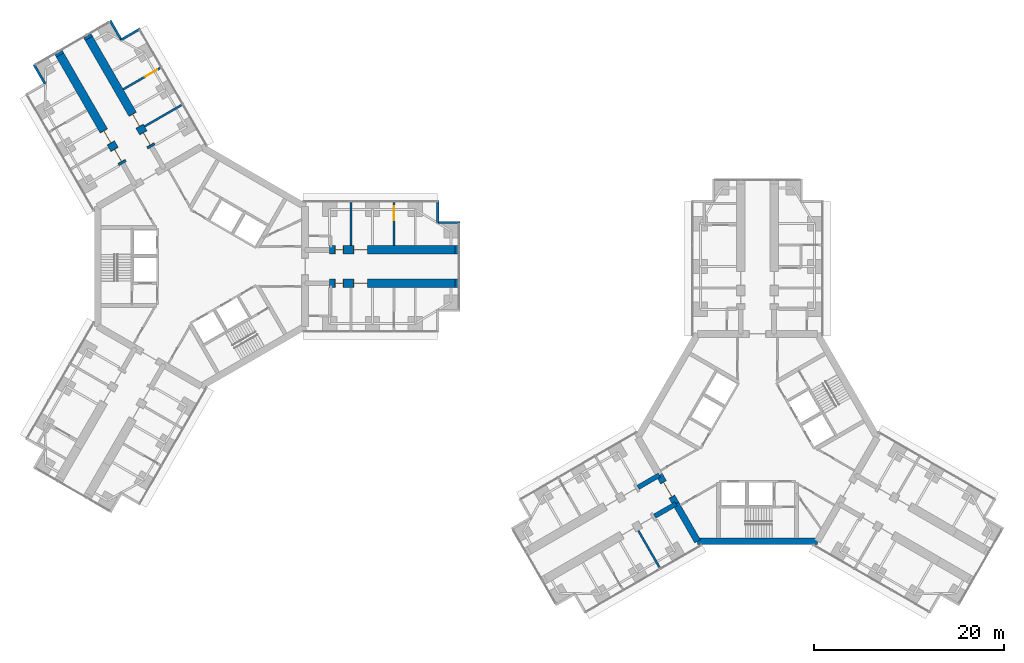
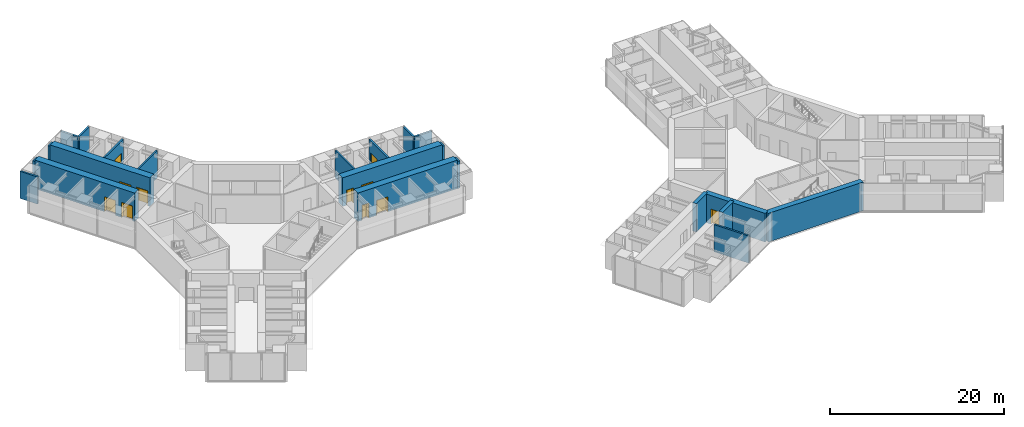
# One storey, part 18 of 22: 23 walls, 11 doors, 11 openings.
"""IFC4 building model written with IfcOpenShell, lengths in metres."""

from ifc_helpers import new_model, si_unit, direction, frame, frame_2d, origin, place, context, subcontext, project, spatial, rectangle, extrude, material, layer, layer_set, type_object, element, fill, save


model = new_model("IFC4")

# Units and contexts
model_context = context("Model", 3, precision=1e-05, world=origin(), true_north=direction((0.0, 1.0)))
body_context = subcontext(model_context, "Body", "Model", "MODEL_VIEW")
ifc_project = project(units=[si_unit("LENGTHUNIT", "METRE"), si_unit("AREAUNIT", "SQUARE_METRE"), si_unit("VOLUMEUNIT", "CUBIC_METRE"), si_unit("PLANEANGLEUNIT", "RADIAN"), si_unit("MASSUNIT", "GRAM", prefix="KILO")], contexts=[model_context])

# Site, building, storey
site_placement = place(None, origin())
site = spatial("IfcSite", under=ifc_project, at=site_placement, CompositionType="ELEMENT")
building_placement = place(site_placement, origin())
building = spatial("IfcBuilding", under=site, at=building_placement, Name="Upepo Twin Towers", CompositionType="ELEMENT")
storey_placement = place(building_placement, frame((0.0, 0.0, 44.5)))
storey = spatial("IfcBuildingStorey", under=building, at=storey_placement, Name="L10", CompositionType="ELEMENT", Elevation=44.5)

# Wall
ifc_material_1 = material(Name="Concrete blockwork, plastered both faces", Category="masonry")
ifc_layer_1 = layer(ifc_material_1, 0.215087890625)
ifc_layer_set_1 = layer_set([ifc_layer_1], Name="Blockwork partition 215")
wall_type_1 = type_object("IfcWallType", Name="Blockwork partition 215", PredefinedType="PARTITIONING", material=ifc_layer_set_1)
wall_1_placement = place(storey_placement, frame((15.75, 2.199951171875, 0.0), z_axis=(0.0, 0.0, 1.0), x_axis=(0.0, 1.0, 0.0)))
element("IfcWall", 1, at=wall_1_placement, inside=storey, type_object=wall_type_1, Name="T1 partition AL at 15.75", PredefinedType="PARTITIONING", context=body_context, shape_type="SweptSolid", body=[
    extrude(rectangle(XDim=4.550048828125, YDim=0.215087890625, at=frame_2d((2.27490234375, 0.0))), origin(), (0.0, 0.0, 1.0), 3.800048828125),
])

# Wall, opening, door
wall_2_placement = place(storey_placement, frame((20.25, 2.199951171875, 0.0), z_axis=(0.0, 0.0, 1.0), x_axis=(0.0, 1.0, 0.0)))
wall_2 = element("IfcWall", 2, at=wall_2_placement, inside=storey, type_object=wall_type_1, Name="T1 partition AL at 20.25", PredefinedType="PARTITIONING", context=body_context, shape_type="SweptSolid", body=[
    extrude(rectangle(XDim=4.550048828125, YDim=0.215087890625, at=frame_2d((2.27490234375, 0.0))), origin(), (0.0, 0.0, 1.0), 3.800048828125),
])
opening_1_placement = place(wall_2_placement, frame((2.64990234375, 0.0, 0.0)))
opening_1 = element("IfcOpeningElement", 3, at=opening_1_placement, cuts=wall_2, Name="Opening D13", PredefinedType="OPENING", context=body_context, shape_type="SweptSolid", body=[
    extrude(rectangle(XDim=1.5, YDim=2.10009765625, at=frame_2d((0.75, 1.050048828125))), frame((0.0, 0.117431640625, 0.0), z_axis=(0.0, -1.0, 0.0), x_axis=(1.0, 0.0, 0.0)), (0.0, 0.0, 1.0), 0.235107421875),
])
ifc_material_2 = material(Name="Timber doorset", Category="wood")
door_type_1 = type_object("IfcDoorType", Name="Double door 1500 FD30", OperationType="DOUBLE_DOOR_SINGLE_SWING", PredefinedType="DOOR", material=ifc_material_2)
door_1_placement = place(opening_1_placement, origin())
door_1 = element("IfcDoor", 4, at=door_1_placement, inside=storey, type_object=door_type_1, Name="T1 L10 connecting door", OperationType="DOUBLE_DOOR_SINGLE_SWING", OverallHeight=2.10009765625, OverallWidth=1.5, PredefinedType="DOOR", context=body_context, shape_type="SweptSolid", body=[
    extrude(rectangle(XDim=1.5, YDim=2.10009765625, at=frame_2d((0.75, 1.050048828125))), frame((0.0, 0.02490234375, 0.0), z_axis=(0.0, -1.0, 0.0), x_axis=(1.0, 0.0, 0.0)), (0.0, 0.0, 1.0), 0.050048828125),
])
fill(opening_1, door_1)

# Wall
wall_3_placement = place(storey_placement, frame((-5.9697265625, 14.739990234375, 0.0), z_axis=(0.0, 0.0, 1.0), x_axis=(0.866035472144, 0.499982560684, 0.0)))
element("IfcWall", 5, at=wall_3_placement, inside=storey, type_object=wall_type_1, Name="T1 partition BR at 15.75", PredefinedType="PARTITIONING", context=body_context, shape_type="SweptSolid", body=[
    extrude(rectangle(XDim=4.550048828125, YDim=0.215087890625, at=frame_2d((2.27490234375, 0.0))), origin(), (0.0, 0.0, 1.0), 3.800048828125),
])

# Wall, opening, door
wall_4_placement = place(storey_placement, frame((-8.2197265625, 18.636962890625, 0.0), z_axis=(0.0, 0.0, 1.0), x_axis=(0.866012237902, 0.500022803284, 0.0)))
wall_4 = element("IfcWall", 6, at=wall_4_placement, inside=storey, type_object=wall_type_1, Name="T1 partition BR at 20.25", PredefinedType="PARTITIONING", context=body_context, shape_type="SweptSolid", body=[
    extrude(rectangle(XDim=4.550048828125, YDim=0.215087890625, at=frame_2d((2.27490234375, 0.0))), origin(), (0.0, 0.0, 1.0), 3.800048828125),
])
opening_2_placement = place(wall_4_placement, frame((2.64990234375, 0.0, 0.0)))
opening_2 = element("IfcOpeningElement", 7, at=opening_2_placement, cuts=wall_4, Name="Opening D13", PredefinedType="OPENING", context=body_context, shape_type="SweptSolid", body=[
    extrude(rectangle(XDim=1.5, YDim=2.10009765625, at=frame_2d((0.75, 1.050048828125))), frame((0.0, 0.117431640625, 0.0), z_axis=(0.0, -1.0, 0.0), x_axis=(1.0, 0.0, 0.0)), (0.0, 0.0, 1.0), 0.235107421875),
])
door_2_placement = place(opening_2_placement, origin())
door_2 = element("IfcDoor", 8, at=door_2_placement, inside=storey, type_object=door_type_1, Name="T1 L10 connecting door", OperationType="DOUBLE_DOOR_SINGLE_SWING", OverallHeight=2.10009765625, OverallWidth=1.5, PredefinedType="DOOR", context=body_context, shape_type="SweptSolid", body=[
    extrude(rectangle(XDim=1.5, YDim=2.10009765625, at=frame_2d((0.75, 1.050048828125))), frame((0.0, 0.02490234375, 0.0), z_axis=(0.0, -1.0, 0.0), x_axis=(1.0, 0.0, 0.0)), (0.0, 0.0, 1.0), 0.050048828125),
])
fill(opening_2, door_2)

# Walls
wall_5_placement = place(storey_placement, frame((45.960205078125, -27.7802734375, 0.0), z_axis=(0.0, 0.0, 1.0), x_axis=(0.499982560684, -0.866035472144, 0.0)))
element("IfcWall", 9, at=wall_5_placement, inside=storey, type_object=wall_type_1, Name="T2 partition BL at 15.75", PredefinedType="PARTITIONING", context=body_context, shape_type="SweptSolid", body=[
    extrude(rectangle(XDim=4.550048828125, YDim=0.215087890625, at=frame_2d((2.27490234375, 0.0))), origin(), (0.0, 0.0, 1.0), 3.800048828125),
])
ifc_material_3 = material(Name="Dense concrete blockwork", Category="masonry")
ifc_layer_2 = layer(ifc_material_3, 0.89990234375)
ifc_layer_set_2 = layer_set([ifc_layer_2], Name="Buttress closer 900, blockwork with fire-stopping to the curtain wall")
wall_type_2 = type_object("IfcWallType", Name="Buttress closer 900, blockwork with fire-stopping to the curtain wall", PredefinedType="PARTITIONING", material=ifc_layer_set_2)
for number, where, z_axis, x_axis, name in (
    (10, (26.699951171875, 1.75, 0.0), (0.0, 0.0, 1.0), (1.0, 0.0, 0.0), "T1 L10 wing A buttress closer L"),
    (11, (26.699951171875, -1.75, 0.0), (0.0, 0.0, 1.0), (1.0, 0.0, 0.0), "T1 L10 wing A buttress closer R"),
    (12, (-14.865478515625, 22.247802734375, 0.0), (0.0, 0.0, 1.0), (-0.499949632511, 0.866054481515, 0.0), "T1 L10 wing B buttress closer L"),
    (13, (-11.83447265625, 23.997802734375, 0.0), (0.0, 0.0, 1.0), (-0.499949632511, 0.866054481515, 0.0), "T1 L10 wing B buttress closer R"),
):
    element("IfcWall", number, at=place(storey_placement, frame(where, z_axis=z_axis, x_axis=x_axis)), inside=storey, type_object=wall_type_2, Name=name, PredefinedType="PARTITIONING", context=body_context, shape_type="SweptSolid", body=[
        extrude(rectangle(XDim=0.31005859375, YDim=0.89990234375, at=frame_2d((0.155029296875, 0.0))), origin(), (0.0, 0.0, 1.0), 3.800048828125),
    ])
ifc_material_4 = material(Name="Concrete C60/75", Category="concrete")
ifc_layer_3 = layer(ifc_material_4, 0.5)
ifc_layer_set_3 = layer_set([ifc_layer_3], Name="Concrete C60/75")
wall_type_3 = type_object("IfcWallType", Name="Buttress wall 500 RC", PredefinedType="SHEAR", material=ifc_layer_set_3)
for number, where, z_axis, x_axis, name in (
    (14, (49.92822265625, -24.9697265625, 0.0), (0.0, 0.0, 1.0), (-0.866031863473, -0.499988811324, 0.0), "T2 wing B buttress wall L"),
    (15, (48.17822265625, -21.938720703125, 0.0), (0.0, 0.0, 1.0), (-0.866072649678, -0.499918158782, 0.0), "T2 wing B buttress wall R"),
):
    element("IfcWall", number, at=place(storey_placement, frame(where, z_axis=z_axis, x_axis=x_axis)), inside=storey, type_object=wall_type_3, Name=name, PredefinedType="SHEAR", context=body_context, shape_type="SweptSolid", body=[
        extrude(rectangle(XDim=2.591796875, YDim=0.5, at=frame_2d((1.2958984375, 0.0))), origin(), (0.0, 0.0, 1.0), 4.0),
    ])

# Wall, openings, doors
ifc_material_5 = material(Name="Concrete C60/75", Category="concrete")
ifc_layer_4 = layer(ifc_material_5, 0.89990234375)
ifc_layer_set_4 = layer_set([ifc_layer_4], Name="Concrete C60/75")
wall_type_4 = type_object("IfcWallType", Name="Buttress wall 900 RC", PredefinedType="SHEAR", material=ifc_layer_set_4)
wall_6_placement = place(storey_placement, frame((13.5, 1.75, 0.0), z_axis=(0.0, 0.0, 1.0), x_axis=(1.0, 0.0, 0.0)))
wall_6 = element("IfcWall", 16, at=wall_6_placement, inside=storey, type_object=wall_type_4, Name="T1 wing A buttress wall L part 2", PredefinedType="SHEAR", context=body_context, shape_type="SweptSolid", body=[
    extrude(rectangle(XDim=13.199951171875, YDim=0.89990234375, at=frame_2d((6.60009765625, 0.0))), origin(), (0.0, 0.0, 1.0), 4.0),
])
opening_3_placement = place(wall_6_placement, frame((0.550048828125, 0.0, 0.0)))
opening_3 = element("IfcOpeningElement", 17, at=opening_3_placement, cuts=wall_6, Name="Opening D11", PredefinedType="OPENING", context=body_context, shape_type="SweptSolid", body=[
    extrude(rectangle(XDim=0.89990234375, YDim=2.10009765625, at=frame_2d((0.449951171875, 1.050048828125))), frame((0.0, 0.4599609375, 0.0), z_axis=(0.0, -1.0, 0.0), x_axis=(1.0, 0.0, 0.0)), (0.0, 0.0, 1.0), 0.919921875),
])
opening_4_placement = place(wall_6_placement, frame((2.5, 0.0, 0.0)))
opening_4 = element("IfcOpeningElement", 18, at=opening_4_placement, cuts=wall_6, Name="Opening D13", PredefinedType="OPENING", context=body_context, shape_type="SweptSolid", body=[
    extrude(rectangle(XDim=1.5, YDim=2.10009765625, at=frame_2d((0.75, 1.050048828125))), frame((0.0, 0.4599609375, 0.0), z_axis=(0.0, -1.0, 0.0), x_axis=(1.0, 0.0, 0.0)), (0.0, 0.0, 1.0), 0.919921875),
])
door_3_placement = place(opening_4_placement, origin())
door_3 = element("IfcDoor", 19, at=door_3_placement, inside=storey, type_object=door_type_1, Name="T1 L10 instrument room door", OperationType="DOUBLE_DOOR_SINGLE_SWING", OverallHeight=2.10009765625, OverallWidth=1.5, PredefinedType="DOOR", context=body_context, shape_type="SweptSolid", body=[
    extrude(rectangle(XDim=1.42, YDim=2.06009765625, at=frame_2d((0.75, 1.030029296875))), frame((0.0, 0.02490234375, 0.0), z_axis=(0.0, -1.0, 0.0), x_axis=(1.0, 0.0, 0.0)), (0.0, 0.0, 1.0), 0.050048828125),
    extrude(rectangle(XDim=0.04, YDim=2.10009765625, at=frame_2d((0.02001953125, 1.050048828125))), frame((0.0, 0.44970703125, 0.0), z_axis=(0.0, -1.0, 0.0), x_axis=(1.0, 0.0, 0.0)), (0.0, 0.0, 1.0), 0.8994140625),
    extrude(rectangle(XDim=0.04, YDim=2.10009765625, at=frame_2d((1.47998046875, 1.050048828125))), frame((0.0, 0.44970703125, 0.0), z_axis=(0.0, -1.0, 0.0), x_axis=(1.0, 0.0, 0.0)), (0.0, 0.0, 1.0), 0.8994140625),
    extrude(rectangle(XDim=1.42, YDim=0.04, at=frame_2d((0.75, 2.080078125))), frame((0.0, 0.44970703125, 0.0), z_axis=(0.0, -1.0, 0.0), x_axis=(1.0, 0.0, 0.0)), (0.0, 0.0, 1.0), 0.8994140625),
])
fill(opening_4, door_3)
ifc_material_6 = material(Name="Timber doorset", Category="wood")
door_type_2 = type_object("IfcDoorType", Name="Toilet door 900", OperationType="SINGLE_SWING_LEFT", PredefinedType="DOOR", material=ifc_material_6)
door_4_placement = place(opening_3_placement, origin())
door_4 = element("IfcDoor", 20, at=door_4_placement, inside=storey, type_object=door_type_2, Name="T1 L10 toilets door", OperationType="SINGLE_SWING_LEFT", OverallHeight=2.10009765625, OverallWidth=0.89990234375, PredefinedType="DOOR", context=body_context, shape_type="SweptSolid", body=[
    extrude(rectangle(XDim=0.81990234375, YDim=2.06009765625, at=frame_2d((0.449951171875, 1.030029296875))), frame((0.0, 0.02490234375, 0.0), z_axis=(0.0, -1.0, 0.0), x_axis=(1.0, 0.0, 0.0)), (0.0, 0.0, 1.0), 0.050048828125),
    extrude(rectangle(XDim=0.04, YDim=2.10009765625, at=frame_2d((0.02001953125, 1.050048828125))), frame((0.0, 0.44970703125, 0.0), z_axis=(0.0, -1.0, 0.0), x_axis=(1.0, 0.0, 0.0)), (0.0, 0.0, 1.0), 0.8994140625),
    extrude(rectangle(XDim=0.04, YDim=2.10009765625, at=frame_2d((0.8798828125, 1.050048828125))), frame((0.0, 0.44970703125, 0.0), z_axis=(0.0, -1.0, 0.0), x_axis=(1.0, 0.0, 0.0)), (0.0, 0.0, 1.0), 0.8994140625),
    extrude(rectangle(XDim=0.81990234375, YDim=0.04, at=frame_2d((0.449951171875, 2.080078125))), frame((0.0, 0.44970703125, 0.0), z_axis=(0.0, -1.0, 0.0), x_axis=(1.0, 0.0, 0.0)), (0.0, 0.0, 1.0), 0.8994140625),
])
fill(opening_3, door_4)

wall_7_placement = place(storey_placement, frame((13.5, -1.75, 0.0), z_axis=(0.0, 0.0, 1.0), x_axis=(1.0, 0.0, 0.0)))
wall_7 = element("IfcWall", 21, at=wall_7_placement, inside=storey, type_object=wall_type_4, Name="T1 wing A buttress wall R part 2", PredefinedType="SHEAR", context=body_context, shape_type="SweptSolid", body=[
    extrude(rectangle(XDim=13.199951171875, YDim=0.89990234375, at=frame_2d((6.60009765625, 0.0))), origin(), (0.0, 0.0, 1.0), 4.0),
])
opening_5_placement = place(wall_7_placement, frame((0.550048828125, 0.0, 0.0)))
opening_5 = element("IfcOpeningElement", 22, at=opening_5_placement, cuts=wall_7, Name="Opening D11", PredefinedType="OPENING", context=body_context, shape_type="SweptSolid", body=[
    extrude(rectangle(XDim=0.89990234375, YDim=2.10009765625, at=frame_2d((0.449951171875, 1.050048828125))), frame((0.0, 0.4599609375, 0.0), z_axis=(0.0, -1.0, 0.0), x_axis=(1.0, 0.0, 0.0)), (0.0, 0.0, 1.0), 0.919921875),
])
opening_6_placement = place(wall_7_placement, frame((2.5, 0.0, 0.0)))
opening_6 = element("IfcOpeningElement", 23, at=opening_6_placement, cuts=wall_7, Name="Opening D13", PredefinedType="OPENING", context=body_context, shape_type="SweptSolid", body=[
    extrude(rectangle(XDim=1.5, YDim=2.10009765625, at=frame_2d((0.75, 1.050048828125))), frame((0.0, 0.4599609375, 0.0), z_axis=(0.0, -1.0, 0.0), x_axis=(1.0, 0.0, 0.0)), (0.0, 0.0, 1.0), 0.919921875),
])
door_5_placement = place(opening_6_placement, origin())
door_5 = element("IfcDoor", 24, at=door_5_placement, inside=storey, type_object=door_type_1, Name="T1 L10 laboratory prep room door", OperationType="DOUBLE_DOOR_SINGLE_SWING", OverallHeight=2.10009765625, OverallWidth=1.5, PredefinedType="DOOR", context=body_context, shape_type="SweptSolid", body=[
    extrude(rectangle(XDim=1.42, YDim=2.06009765625, at=frame_2d((0.75, 1.030029296875))), frame((0.0, 0.02490234375, 0.0), z_axis=(0.0, -1.0, 0.0), x_axis=(1.0, 0.0, 0.0)), (0.0, 0.0, 1.0), 0.050048828125),
    extrude(rectangle(XDim=0.04, YDim=2.10009765625, at=frame_2d((0.02001953125, 1.050048828125))), frame((0.0, 0.44970703125, 0.0), z_axis=(0.0, -1.0, 0.0), x_axis=(1.0, 0.0, 0.0)), (0.0, 0.0, 1.0), 0.8994140625),
    extrude(rectangle(XDim=0.04, YDim=2.10009765625, at=frame_2d((1.47998046875, 1.050048828125))), frame((0.0, 0.44970703125, 0.0), z_axis=(0.0, -1.0, 0.0), x_axis=(1.0, 0.0, 0.0)), (0.0, 0.0, 1.0), 0.8994140625),
    extrude(rectangle(XDim=1.42, YDim=0.04, at=frame_2d((0.75, 2.080078125))), frame((0.0, 0.44970703125, 0.0), z_axis=(0.0, -1.0, 0.0), x_axis=(1.0, 0.0, 0.0)), (0.0, 0.0, 1.0), 0.8994140625),
])
fill(opening_6, door_5)
door_6_placement = place(opening_5_placement, origin())
door_6 = element("IfcDoor", 25, at=door_6_placement, inside=storey, type_object=door_type_2, Name="T1 L10 accessible wc door", OperationType="SINGLE_SWING_LEFT", OverallHeight=2.10009765625, OverallWidth=0.89990234375, PredefinedType="DOOR", context=body_context, shape_type="SweptSolid", body=[
    extrude(rectangle(XDim=0.81990234375, YDim=2.06009765625, at=frame_2d((0.449951171875, 1.030029296875))), frame((0.0, 0.02490234375, 0.0), z_axis=(0.0, -1.0, 0.0), x_axis=(1.0, 0.0, 0.0)), (0.0, 0.0, 1.0), 0.050048828125),
    extrude(rectangle(XDim=0.04, YDim=2.10009765625, at=frame_2d((0.02001953125, 1.050048828125))), frame((0.0, 0.44970703125, 0.0), z_axis=(0.0, -1.0, 0.0), x_axis=(1.0, 0.0, 0.0)), (0.0, 0.0, 1.0), 0.8994140625),
    extrude(rectangle(XDim=0.04, YDim=2.10009765625, at=frame_2d((0.8798828125, 1.050048828125))), frame((0.0, 0.44970703125, 0.0), z_axis=(0.0, -1.0, 0.0), x_axis=(1.0, 0.0, 0.0)), (0.0, 0.0, 1.0), 0.8994140625),
    extrude(rectangle(XDim=0.81990234375, YDim=0.04, at=frame_2d((0.449951171875, 2.080078125))), frame((0.0, 0.44970703125, 0.0), z_axis=(0.0, -1.0, 0.0), x_axis=(1.0, 0.0, 0.0)), (0.0, 0.0, 1.0), 0.8994140625),
])
fill(opening_5, door_6)

wall_8_placement = place(storey_placement, frame((-8.265625, 10.81640625, 0.0), z_axis=(0.0, 0.0, 1.0), x_axis=(-0.499996231654, 0.866027579429, 0.0)))
wall_8 = element("IfcWall", 26, at=wall_8_placement, inside=storey, type_object=wall_type_4, Name="T1 wing B buttress wall L part 2", PredefinedType="SHEAR", context=body_context, shape_type="SweptSolid", body=[
    extrude(rectangle(XDim=13.19970703125, YDim=0.89990234375, at=frame_2d((6.599853515625, 0.0))), origin(), (0.0, 0.0, 1.0), 4.0),
])
opening_7_placement = place(wall_8_placement, frame((0.25, 0.0, 0.0)))
opening_7 = element("IfcOpeningElement", 27, at=opening_7_placement, cuts=wall_8, Name="Opening D13", PredefinedType="OPENING", context=body_context, shape_type="SweptSolid", body=[
    extrude(rectangle(XDim=1.5, YDim=2.10009765625, at=frame_2d((0.75, 1.050048828125))), frame((0.0, 0.4599609375, 0.0), z_axis=(0.0, -1.0, 0.0), x_axis=(1.0, 0.0, 0.0)), (0.0, 0.0, 1.0), 0.919921875),
])
opening_8_placement = place(wall_8_placement, frame((2.5, 0.0, 0.0)))
opening_8 = element("IfcOpeningElement", 28, at=opening_8_placement, cuts=wall_8, Name="Opening D13", PredefinedType="OPENING", context=body_context, shape_type="SweptSolid", body=[
    extrude(rectangle(XDim=1.5, YDim=2.10009765625, at=frame_2d((0.75, 1.050048828125))), frame((0.0, 0.4599609375, 0.0), z_axis=(0.0, -1.0, 0.0), x_axis=(1.0, 0.0, 0.0)), (0.0, 0.0, 1.0), 0.919921875),
])
door_7_placement = place(opening_7_placement, origin())
door_7 = element("IfcDoor", 29, at=door_7_placement, inside=storey, type_object=door_type_1, Name="T1 L10 instrument room door", OperationType="DOUBLE_DOOR_SINGLE_SWING", OverallHeight=2.10009765625, OverallWidth=1.5, PredefinedType="DOOR", context=body_context, shape_type="SweptSolid", body=[
    extrude(rectangle(XDim=1.42, YDim=2.06009765625, at=frame_2d((0.75, 1.030029296875))), frame((0.0, 0.02490234375, 0.0), z_axis=(0.0, -1.0, 0.0), x_axis=(1.0, 0.0, 0.0)), (0.0, 0.0, 1.0), 0.050048828125),
    extrude(rectangle(XDim=0.04, YDim=2.10009765625, at=frame_2d((0.02001953125, 1.050048828125))), frame((0.0, 0.44970703125, 0.0), z_axis=(0.0, -1.0, 0.0), x_axis=(1.0, 0.0, 0.0)), (0.0, 0.0, 1.0), 0.8994140625),
    extrude(rectangle(XDim=0.04, YDim=2.10009765625, at=frame_2d((1.47998046875, 1.050048828125))), frame((0.0, 0.44970703125, 0.0), z_axis=(0.0, -1.0, 0.0), x_axis=(1.0, 0.0, 0.0)), (0.0, 0.0, 1.0), 0.8994140625),
    extrude(rectangle(XDim=1.42, YDim=0.04, at=frame_2d((0.75, 2.080078125))), frame((0.0, 0.44970703125, 0.0), z_axis=(0.0, -1.0, 0.0), x_axis=(1.0, 0.0, 0.0)), (0.0, 0.0, 1.0), 0.8994140625),
])
fill(opening_7, door_7)
door_8_placement = place(opening_8_placement, origin())
door_8 = element("IfcDoor", 30, at=door_8_placement, inside=storey, type_object=door_type_1, Name="T1 L10 write-up room door", OperationType="DOUBLE_DOOR_SINGLE_SWING", OverallHeight=2.10009765625, OverallWidth=1.5, PredefinedType="DOOR", context=body_context, shape_type="SweptSolid", body=[
    extrude(rectangle(XDim=1.42, YDim=2.06009765625, at=frame_2d((0.75, 1.030029296875))), frame((0.0, 0.02490234375, 0.0), z_axis=(0.0, -1.0, 0.0), x_axis=(1.0, 0.0, 0.0)), (0.0, 0.0, 1.0), 0.050048828125),
    extrude(rectangle(XDim=0.04, YDim=2.10009765625, at=frame_2d((0.02001953125, 1.050048828125))), frame((0.0, 0.44970703125, 0.0), z_axis=(0.0, -1.0, 0.0), x_axis=(1.0, 0.0, 0.0)), (0.0, 0.0, 1.0), 0.8994140625),
    extrude(rectangle(XDim=0.04, YDim=2.10009765625, at=frame_2d((1.47998046875, 1.050048828125))), frame((0.0, 0.44970703125, 0.0), z_axis=(0.0, -1.0, 0.0), x_axis=(1.0, 0.0, 0.0)), (0.0, 0.0, 1.0), 0.8994140625),
    extrude(rectangle(XDim=1.42, YDim=0.04, at=frame_2d((0.75, 2.080078125))), frame((0.0, 0.44970703125, 0.0), z_axis=(0.0, -1.0, 0.0), x_axis=(1.0, 0.0, 0.0)), (0.0, 0.0, 1.0), 0.8994140625),
])
fill(opening_8, door_8)

wall_9_placement = place(storey_placement, frame((-5.234375, 12.56640625, 0.0), z_axis=(0.0, 0.0, 1.0), x_axis=(-0.500010103361, 0.866019570528, 0.0)))
wall_9 = element("IfcWall", 31, at=wall_9_placement, inside=storey, type_object=wall_type_4, Name="T1 wing B buttress wall R part 2", PredefinedType="SHEAR", context=body_context, shape_type="SweptSolid", body=[
    extrude(rectangle(XDim=13.199951171875, YDim=0.89990234375, at=frame_2d((6.60009765625, 0.0))), origin(), (0.0, 0.0, 1.0), 4.0),
])
opening_9_placement = place(wall_9_placement, frame((0.25, 0.0, 0.0)))
opening_9 = element("IfcOpeningElement", 32, at=opening_9_placement, cuts=wall_9, Name="Opening D13", PredefinedType="OPENING", context=body_context, shape_type="SweptSolid", body=[
    extrude(rectangle(XDim=1.5, YDim=2.10009765625, at=frame_2d((0.75, 1.050048828125))), frame((0.0, 0.4599609375, 0.0), z_axis=(0.0, -1.0, 0.0), x_axis=(1.0, 0.0, 0.0)), (0.0, 0.0, 1.0), 0.919921875),
])
opening_10_placement = place(wall_9_placement, frame((2.5, 0.0, 0.0)))
opening_10 = element("IfcOpeningElement", 33, at=opening_10_placement, cuts=wall_9, Name="Opening D13", PredefinedType="OPENING", context=body_context, shape_type="SweptSolid", body=[
    extrude(rectangle(XDim=1.5, YDim=2.10009765625, at=frame_2d((0.75, 1.050048828125))), frame((0.0, 0.4599609375, 0.0), z_axis=(0.0, -1.0, 0.0), x_axis=(1.0, 0.0, 0.0)), (0.0, 0.0, 1.0), 0.919921875),
])
door_9_placement = place(opening_9_placement, origin())
door_9 = element("IfcDoor", 34, at=door_9_placement, inside=storey, type_object=door_type_1, Name="T1 L10 research laboratory door", OperationType="DOUBLE_DOOR_SINGLE_SWING", OverallHeight=2.10009765625, OverallWidth=1.5, PredefinedType="DOOR", context=body_context, shape_type="SweptSolid", body=[
    extrude(rectangle(XDim=1.42, YDim=2.06009765625, at=frame_2d((0.75, 1.030029296875))), frame((0.0, 0.02490234375, 0.0), z_axis=(0.0, -1.0, 0.0), x_axis=(1.0, 0.0, 0.0)), (0.0, 0.0, 1.0), 0.050048828125),
    extrude(rectangle(XDim=0.04, YDim=2.10009765625, at=frame_2d((0.02001953125, 1.050048828125))), frame((0.0, 0.44970703125, 0.0), z_axis=(0.0, -1.0, 0.0), x_axis=(1.0, 0.0, 0.0)), (0.0, 0.0, 1.0), 0.8994140625),
    extrude(rectangle(XDim=0.04, YDim=2.10009765625, at=frame_2d((1.47998046875, 1.050048828125))), frame((0.0, 0.44970703125, 0.0), z_axis=(0.0, -1.0, 0.0), x_axis=(1.0, 0.0, 0.0)), (0.0, 0.0, 1.0), 0.8994140625),
    extrude(rectangle(XDim=1.42, YDim=0.04, at=frame_2d((0.75, 2.080078125))), frame((0.0, 0.44970703125, 0.0), z_axis=(0.0, -1.0, 0.0), x_axis=(1.0, 0.0, 0.0)), (0.0, 0.0, 1.0), 0.8994140625),
])
fill(opening_9, door_9)
door_10_placement = place(opening_10_placement, origin())
door_10 = element("IfcDoor", 35, at=door_10_placement, inside=storey, type_object=door_type_1, Name="T1 L10 instrument room door", OperationType="DOUBLE_DOOR_SINGLE_SWING", OverallHeight=2.10009765625, OverallWidth=1.5, PredefinedType="DOOR", context=body_context, shape_type="SweptSolid", body=[
    extrude(rectangle(XDim=1.42, YDim=2.06009765625, at=frame_2d((0.75, 1.030029296875))), frame((0.0, 0.02490234375, 0.0), z_axis=(0.0, -1.0, 0.0), x_axis=(1.0, 0.0, 0.0)), (0.0, 0.0, 1.0), 0.050048828125),
    extrude(rectangle(XDim=0.04, YDim=2.10009765625, at=frame_2d((0.02001953125, 1.050048828125))), frame((0.0, 0.44970703125, 0.0), z_axis=(0.0, -1.0, 0.0), x_axis=(1.0, 0.0, 0.0)), (0.0, 0.0, 1.0), 0.8994140625),
    extrude(rectangle(XDim=0.04, YDim=2.10009765625, at=frame_2d((1.47998046875, 1.050048828125))), frame((0.0, 0.44970703125, 0.0), z_axis=(0.0, -1.0, 0.0), x_axis=(1.0, 0.0, 0.0)), (0.0, 0.0, 1.0), 0.8994140625),
    extrude(rectangle(XDim=1.42, YDim=0.04, at=frame_2d((0.75, 2.080078125))), frame((0.0, 0.44970703125, 0.0), z_axis=(0.0, -1.0, 0.0), x_axis=(1.0, 0.0, 0.0)), (0.0, 0.0, 1.0), 0.8994140625),
])
fill(opening_10, door_10)

# Wall, opening, door
ifc_material_7 = material(Name="Concrete C60/75", Category="concrete")
ifc_layer_5 = layer(ifc_material_7, 0.699951171875)
ifc_layer_set_5 = layer_set([ifc_layer_5], Name="Concrete C60/75")
wall_type_5 = type_object("IfcWallType", Name="Core wall 700 RC", PredefinedType="SHEAR", material=ifc_layer_set_5)
wall_10_placement = place(storey_placement, frame((48.17822265625, -21.938720703125, 0.0), z_axis=(0.0, 0.0, 1.0), x_axis=(0.500010275428, -0.866019471182, 0.0)))
wall_10 = element("IfcWall", 36, at=wall_10_placement, inside=storey, type_object=wall_type_5, Name="T2 core wall 120", PredefinedType="SHEAR", context=body_context, shape_type="SweptSolid", body=[
    extrude(rectangle(XDim=3.5, YDim=0.699951171875, at=frame_2d((1.75, 0.0))), origin(), (0.0, 0.0, 1.0), 4.0),
])
opening_11_placement = place(wall_10_placement, frame((0.85009765625, 0.0, 0.0)))
opening_11 = element("IfcOpeningElement", 37, at=opening_11_placement, cuts=wall_10, Name="Opening D2", PredefinedType="OPENING", context=body_context, shape_type="SweptSolid", body=[
    extrude(rectangle(XDim=1.800048828125, YDim=2.10009765625, at=frame_2d((0.89990234375, 1.050048828125))), frame((0.0, 0.35986328125, 0.0), z_axis=(0.0, -1.0, 0.0), x_axis=(1.0, 0.0, 0.0)), (0.0, 0.0, 1.0), 0.719970703125),
])
ifc_material_8 = material(Name="Timber doorset", Category="wood")
door_type_3 = type_object("IfcDoorType", Name="Corridor double door 1800 FD60", OperationType="DOUBLE_DOOR_DOUBLE_SWING", PredefinedType="DOOR", material=ifc_material_8)
door_11_placement = place(opening_11_placement, origin())
door_11 = element("IfcDoor", 38, at=door_11_placement, inside=storey, type_object=door_type_3, Name="T2 L10 wing B corridor door", OperationType="DOUBLE_DOOR_DOUBLE_SWING", OverallHeight=2.10009765625, OverallWidth=1.800048828125, PredefinedType="DOOR", context=body_context, shape_type="SweptSolid", body=[
    extrude(rectangle(XDim=1.720048828125, YDim=2.06009765625, at=frame_2d((0.89990234375, 1.030029296875))), frame((0.0, 0.02490234375, 0.0), z_axis=(0.0, -1.0, 0.0), x_axis=(1.0, 0.0, 0.0)), (0.0, 0.0, 1.0), 0.050048828125),
    extrude(rectangle(XDim=0.04, YDim=2.10009765625, at=frame_2d((0.02001953125, 1.050048828125))), frame((0.0, 0.349609375, 0.0), z_axis=(0.0, -1.0, 0.0), x_axis=(1.0, 0.0, 0.0)), (0.0, 0.0, 1.0), 0.699462890625),
    extrude(rectangle(XDim=0.04, YDim=2.10009765625, at=frame_2d((1.780029296875, 1.050048828125))), frame((0.0, 0.349609375, 0.0), z_axis=(0.0, -1.0, 0.0), x_axis=(1.0, 0.0, 0.0)), (0.0, 0.0, 1.0), 0.699462890625),
    extrude(rectangle(XDim=1.720048828125, YDim=0.04, at=frame_2d((0.89990234375, 2.080078125))), frame((0.0, 0.349609375, 0.0), z_axis=(0.0, -1.0, 0.0), x_axis=(1.0, 0.0, 0.0)), (0.0, 0.0, 1.0), 0.699462890625),
])
fill(opening_11, door_11)

# Walls
wall_11_placement = place(storey_placement, frame((49.92822265625, -24.9697265625, 0.0), z_axis=(0.0, 0.0, 1.0), x_axis=(0.499984222037, -0.866034513004, 0.0)))
element("IfcWall", 39, at=wall_11_placement, inside=storey, type_object=wall_type_5, Name="T2 core wall 120 L", PredefinedType="SHEAR", context=body_context, shape_type="SweptSolid", body=[
    extrude(rectangle(XDim=4.548095703125, YDim=0.699951171875, at=frame_2d((2.27392578125, 0.0))), origin(), (0.0, 0.0, 1.0), 4.0),
])
wall_12_placement = place(storey_placement, frame((52.2021484375, -28.908447265625, 0.0), z_axis=(0.0, 0.0, 1.0), x_axis=(1.0, 0.0, 0.0)))
element("IfcWall", 40, at=wall_12_placement, inside=storey, type_object=wall_type_5, Name="T2 core wall 180", PredefinedType="SHEAR", context=body_context, shape_type="SweptSolid", body=[
    extrude(rectangle(XDim=12.595703125, YDim=0.699951171875, at=frame_2d((6.2978515625, 0.0))), origin(), (0.0, 0.0, 1.0), 4.0),
])
ifc_material_9 = material(Name="Blockwork with anodised aluminium cladding", Category="masonry")
ifc_layer_6 = layer(ifc_material_9, 0.25)
ifc_layer_set_6 = layer_set([ifc_layer_6], Name="Notch cladding wall 250, pale metal")
wall_type_6 = type_object("IfcWallType", Name="Notch cladding wall 250, pale metal", PredefinedType="STANDARD", material=ifc_layer_set_6)
for number, where, z_axis, x_axis, name in (
    (41, (24.875, 6.949951171875, 0.0), (0.0, 0.0, 1.0), (0.0, -1.0, 0.0), "T1 L10 wing A notch wall L1"),
    (42, (24.875, 4.625, 0.0), (0.0, 0.0, 1.0), (1.0, 0.0, 0.0), "T1 L10 wing A notch wall L2"),
    (43, (-16.44287109375, 19.22998046875, 0.0), (0.0, 0.0, 1.0), (-0.500046648681, 0.865998469481, 0.0), "T1 L10 wing B notch wall L2"),
    (44, (-6.418701171875, 25.017333984375, 0.0), (0.0, 0.0, 1.0), (-0.866043940782, -0.499967891604, 0.0), "T1 L10 wing B notch wall R1"),
    (45, (-8.43212890625, 23.85498046875, 0.0), (0.0, 0.0, 1.0), (-0.500046648681, 0.865998469481, 0.0), "T1 L10 wing B notch wall R2"),
):
    element("IfcWall", number, at=place(storey_placement, frame(where, z_axis=z_axis, x_axis=x_axis)), inside=storey, type_object=wall_type_6, Name=name, PredefinedType="STANDARD", context=body_context, shape_type="SweptSolid", body=[
        extrude(rectangle(XDim=2.324951171875, YDim=0.25, at=frame_2d((1.16259765625, 0.0))), origin(), (0.0, 0.0, 1.0), 3.800048828125),
    ])

save(model, "model.ifc")
